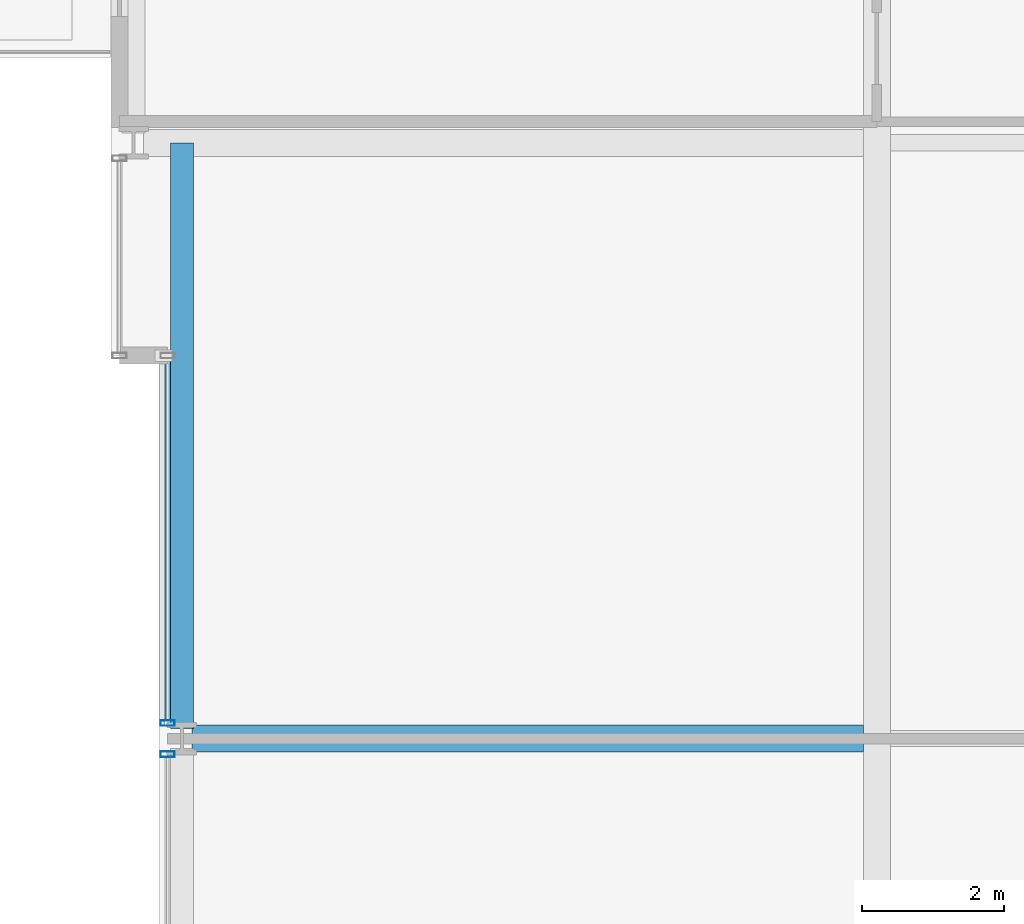
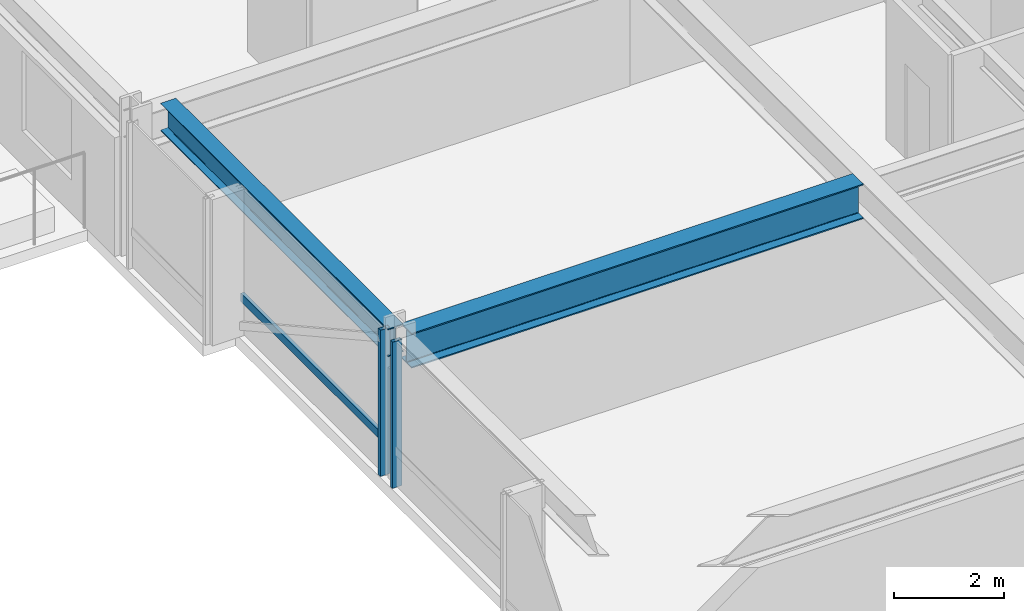
# One storey, part 9 of 34: 3 members, 2 beams, 2 elements without a shape of their own.
"""IFC4 building model written with IfcOpenShell, lengths in metres."""

from ifc_helpers import new_model, si_unit, direction, frame, origin, origin_2d, place, context, subcontext, project, spatial, hollow_rectangle, i_section, extrude, material, layer, layer_set, material_profile, profile_set, type_object, element, aggregate, save


model = new_model("IFC4")

# Units and contexts
model_context = context("Model", 3, precision=1e-05, world=origin(), true_north=direction((0.0, 1.0)))
body_context = subcontext(model_context, "Body", "Model", "MODEL_VIEW")
ifc_project = project(units=[si_unit("LENGTHUNIT", "METRE"), si_unit("AREAUNIT", "SQUARE_METRE"), si_unit("VOLUMEUNIT", "CUBIC_METRE"), si_unit("PLANEANGLEUNIT", "RADIAN"), si_unit("MASSUNIT", "GRAM", prefix="KILO")], contexts=[model_context])

# Site, building, storey
site_placement = place(None, origin())
site = spatial("IfcSite", under=ifc_project, at=site_placement, CompositionType="ELEMENT")
building_placement = place(site_placement, origin())
building = spatial("IfcBuilding", under=site, at=building_placement, Name="Drelvath Grand Hotel", CompositionType="ELEMENT")
storey_placement = place(building_placement, frame((0.0, 0.0, 109.300048828125)))
storey = spatial("IfcBuildingStorey", under=building, at=storey_placement, Name="L27", CompositionType="ELEMENT", Elevation=109.300048828125)

# Curtain wall, member
ifc_material_1 = material(Name="Champagne Bronze Anodised Aluminium Frame", Category="aluminium")
ifc_layer = layer(ifc_material_1, 0.199951171875)
ifc_layer_set = layer_set([ifc_layer], Name="Champagne Bronze Anodised Aluminium Frame")
curtain_wall_type = type_object("IfcCurtainWallType", Name="Stick Curtain Wall CW-03 Champagne Bronze Mid-Rise", PredefinedType="NOTDEFINED", material=ifc_layer_set)
curtain_wall_1_placement = place(storey_placement, origin())
curtain_wall_1 = element("IfcCurtainWall", 1, at=curtain_wall_1_placement, inside=storey, type_object=curtain_wall_type, Name="L27 CW-03 Curtain Wall CW03-L27-WM2", PredefinedType="NOTDEFINED")
ifc_material_profile_1 = material_profile(ifc_material_1, hollow_rectangle(XDim=0.074951171875, YDim=0.179931640625, WallThickness=0.0048828125, at=origin_2d()), Name="HSS180X75X5")
ifc_profile_set_1 = profile_set([ifc_material_profile_1], Name="Champagne Bronze Anodised Aluminium Frame")
member_type_1 = type_object("IfcMemberType", Name="Curtain Wall Horizontal Transom CW-03 HSS180X75X5", PredefinedType="USERDEFINED", material=ifc_profile_set_1)
member_1_placement = place(storey_placement, frame((-26.199951171875, 27.259521484375, 0.81005859375), z_axis=(0.0, 1.0, 0.0), x_axis=(-1.0, 0.0, 0.0)))
member_1 = element("IfcMember", 2, at=member_1_placement, type_object=member_type_1, Name="CW03-L27-WM2 Sill Transom", ObjectType="TRANSOM", PredefinedType="USERDEFINED", context=body_context, shape_type="SweptSolid", body=[
    extrude(hollow_rectangle(XDim=0.074951171875, YDim=0.179931640625, WallThickness=0.0048828125, at=origin_2d()), origin(), (0.0, 0.0, 1.0), 5.1005859375),
])

curtain_wall_2_placement = place(storey_placement, origin())
curtain_wall_2 = element("IfcCurtainWall", 3, at=curtain_wall_2_placement, inside=storey, type_object=curtain_wall_type, Name="L27 CW-03 Curtain Wall CW03-L27-WM1", PredefinedType="NOTDEFINED")
ifc_material_profile_2 = material_profile(ifc_material_1, hollow_rectangle(XDim=0.080078125, YDim=0.199951171875, WallThickness=0.0048828125, at=origin_2d()), Name="HSS200X80X5")
ifc_profile_set_2 = profile_set([ifc_material_profile_2], Name="Champagne Bronze Anodised Aluminium Frame")
member_type_2 = type_object("IfcMemberType", Name="Curtain Wall Vertical Mullion CW-03 HSS200X80X5", PredefinedType="MULLION", material=ifc_profile_set_2)
member_2_placement = place(storey_placement, frame((-26.199951171875, 26.780517578125, 0.0), z_axis=(0.0, 0.0, 1.0), x_axis=(0.0, 1.0, 0.0)))
member_2 = element("IfcMember", 4, at=member_2_placement, type_object=member_type_2, Name="CW03-L27-WM1 Mullion 2", PredefinedType="MULLION", context=body_context, shape_type="SweptSolid", body=[
    extrude(hollow_rectangle(XDim=0.080078125, YDim=0.199951171875, WallThickness=0.0048828125, at=origin_2d()), origin(), (0.0, 0.0, 1.0), 3.239990234375),
])
aggregate(curtain_wall_2, [member_2])

# Member
member_3_placement = place(storey_placement, frame((-26.199951171875, 27.219482421875, 0.0), z_axis=(0.0, 0.0, 1.0), x_axis=(0.0, 1.0, 0.0)))
member_3 = element("IfcMember", 5, at=member_3_placement, type_object=member_type_2, Name="CW03-L27-WM2 Mullion 1", PredefinedType="MULLION", context=body_context, shape_type="SweptSolid", body=[
    extrude(hollow_rectangle(XDim=0.080078125, YDim=0.199951171875, WallThickness=0.0048828125, at=origin_2d()), origin(), (0.0, 0.0, 1.0), 3.239990234375),
])

aggregate(curtain_wall_1, [member_3, member_1])

# Beams
ifc_material_2 = material(Name="Steel ASTM A992 Gr 50", Category="steel")
ifc_material_profile_3 = material_profile(ifc_material_2, i_section(OverallWidth=0.323974609375, OverallDepth=0.611083984375, WebThickness=0.0126953125, FlangeThickness=0.01904296875, FilletRadius=0.02197265625, at=origin_2d()), Name="W24X104")
ifc_profile_set_3 = profile_set([ifc_material_profile_3], Name="Steel ASTM A992 Gr 50")
beam_type_1 = type_object("IfcBeamType", Name="Perimeter Spandrel Beam W24X104", PredefinedType="SPANDREL", material=ifc_profile_set_3)
beam_1_placement = place(storey_placement, frame((-26.0, 27.139892578125, 2.9345703125), z_axis=(0.0, 1.0, 0.0), x_axis=(-1.0, 0.0, 0.0)))
element("IfcBeam", 6, at=beam_1_placement, inside=storey, type_object=beam_type_1, Name="L27 Spandrel West Mid N", PredefinedType="SPANDREL", context=body_context, shape_type="SweptSolid", body=[
    extrude(i_section(OverallWidth=0.323974609375, OverallDepth=0.611083984375, WebThickness=0.0126953125, FlangeThickness=0.01904296875, FilletRadius=0.02197265625, at=origin_2d()), origin(), (0.0, 0.0, 1.0), 8.260009765625),
])
ifc_material_profile_4 = material_profile(ifc_material_2, i_section(OverallWidth=0.380615234375, OverallDepth=0.773193359375, WebThickness=0.0166015625, FlangeThickness=0.027099609375, FilletRadius=0.02490234375, at=origin_2d()), Name="W30X173")
ifc_profile_set_4 = profile_set([ifc_material_profile_4], Name="Steel ASTM A992 Gr 50")
beam_type_2 = type_object("IfcBeamType", Name="Primary Floor Girder W30X173", PredefinedType="BEAM", material=ifc_profile_set_4)
beam_2_placement = place(storey_placement, frame((-25.860107421875, 27.0, 2.853271484375), z_axis=(1.0, 0.0, 0.0), x_axis=(0.0, 1.0, 0.0)))
element("IfcBeam", 7, at=beam_2_placement, inside=storey, type_object=beam_type_2, Name="L27 West Wing Girder E", PredefinedType="BEAM", context=body_context, shape_type="SweptSolid", body=[
    extrude(i_section(OverallWidth=0.380615234375, OverallDepth=0.773193359375, WebThickness=0.0166015625, FlangeThickness=0.027099609375, FilletRadius=0.02490234375, at=origin_2d()), origin(), (0.0, 0.0, 1.0), 9.4697265625),
])

save(model, "model.ifc")
